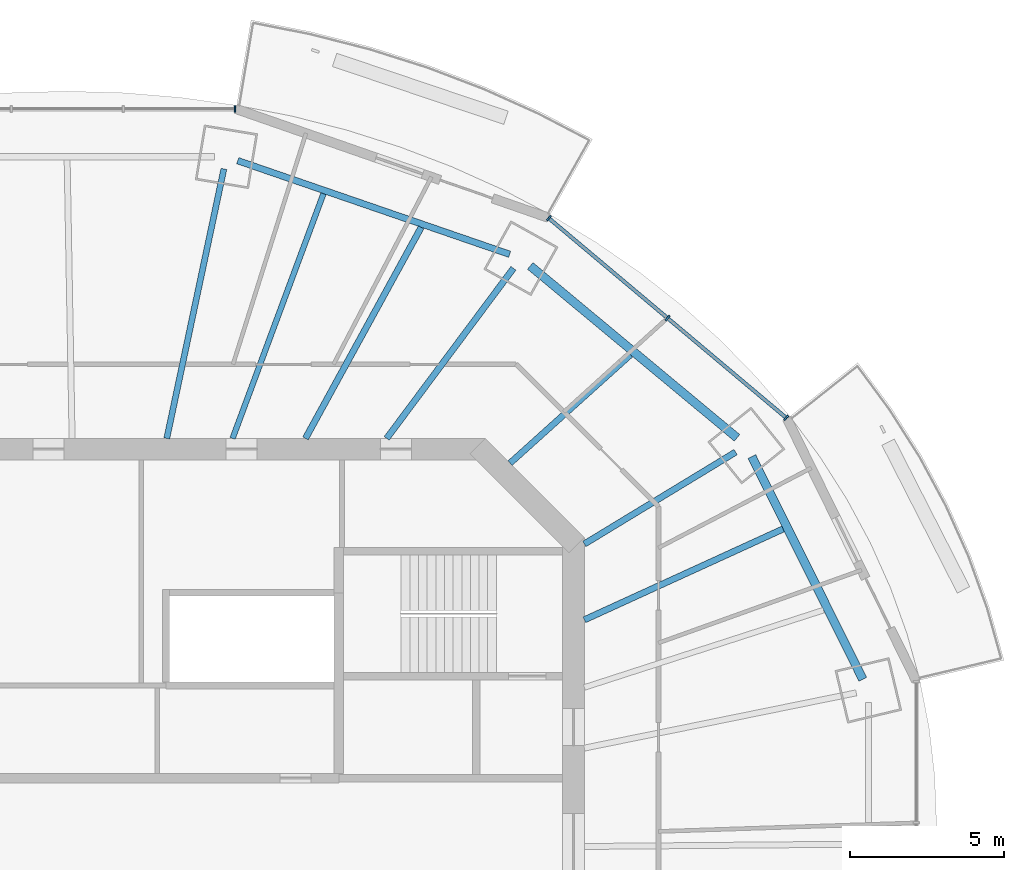
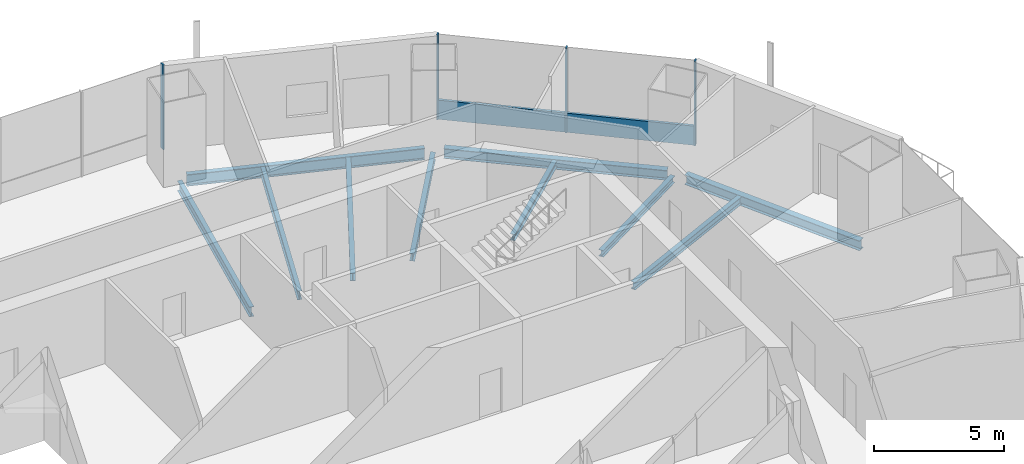
# One storey, part 6 of 16: 10 beams, 5 members, 2 elements without a shape of their own.
"""IFC4 building model written with IfcOpenShell, lengths in metres."""

from ifc_helpers import new_model, si_unit, direction, frame, origin, origin_2d, place, context, subcontext, project, spatial, rectangle, i_section, extrude, material, material_profile, profile_set, type_object, element, aggregate, save


model = new_model("IFC4")

# Units and contexts
model_context = context("Model", 3, precision=1e-05, world=origin(), true_north=direction((0.0, 1.0)))
body_context = subcontext(model_context, "Body", "Model", "MODEL_VIEW")
ifc_project = project(units=[si_unit("LENGTHUNIT", "METRE"), si_unit("AREAUNIT", "SQUARE_METRE"), si_unit("VOLUMEUNIT", "CUBIC_METRE"), si_unit("PLANEANGLEUNIT", "RADIAN"), si_unit("MASSUNIT", "GRAM", prefix="KILO")], contexts=[model_context])

# Site, building, storey
site_placement = place(None, origin())
site = spatial("IfcSite", under=ifc_project, at=site_placement, CompositionType="ELEMENT")
building_placement = place(site_placement, origin())
building = spatial("IfcBuilding", under=site, at=building_placement, Name="Marenthal Gate Tower", CompositionType="ELEMENT")
storey_placement = place(building_placement, frame((0.0, 0.0, 317.699951171875)))
storey = spatial("IfcBuildingStorey", under=building, at=storey_placement, Name="L71", CompositionType="ELEMENT", Elevation=317.699951171875)

# Curtain wall, members
ifc_material_1 = material(Name="Aluminium and glass", Category="aluminium")
curtain_wall_type = type_object("IfcCurtainWallType", Name="Curtain wall typical high", PredefinedType="NOTDEFINED", material=ifc_material_1)
curtain_wall_1_placement = place(storey_placement, origin())
curtain_wall_1 = element("IfcCurtainWall", 1, at=curtain_wall_1_placement, inside=storey, type_object=curtain_wall_type, Name="Curtain wall L71 bay 2", PredefinedType="NOTDEFINED")
ifc_material_2 = material(Name="Aluminium", Category="aluminium")
ifc_material_profile_1 = material_profile(ifc_material_2, rectangle(XDim=0.199951171875, YDim=0.06005859375, at=origin_2d()), Name="60x200 aluminium mullion")
ifc_profile_set_1 = profile_set([ifc_material_profile_1], Name="Aluminium")
member_type_1 = type_object("IfcMemberType", Name="Mullion 60x200 typical high", PredefinedType="MULLION", material=ifc_profile_set_1)
member_1_placement = place(storey_placement, frame((22.886474609375, 14.01513671875, 0.0), z_axis=(0.0, 0.0, 1.0), x_axis=(-0.643570293048, -0.765387011848, 0.0)))
member_1 = element("IfcMember", 2, at=member_1_placement, type_object=member_type_1, Name="Mullion L71 bay 2.1", PredefinedType="MULLION", context=body_context, shape_type="SweptSolid", body=[
    extrude(rectangle(XDim=0.199951171875, YDim=0.06005859375, at=origin_2d()), origin(), (0.0, 0.0, 1.0), 3.969970703125),
])
member_2_placement = place(storey_placement, frame((19.042236328125, 17.24755859375, 0.0), z_axis=(0.0, 0.0, 1.0), x_axis=(-0.643570293048, -0.765387011848, 0.0)))
member_2 = element("IfcMember", 3, at=member_2_placement, type_object=member_type_1, Name="Mullion L71 bay 2.2", PredefinedType="MULLION", context=body_context, shape_type="SweptSolid", body=[
    extrude(rectangle(XDim=0.199951171875, YDim=0.06005859375, at=origin_2d()), origin(), (0.0, 0.0, 1.0), 3.969970703125),
])
member_3_placement = place(storey_placement, frame((15.197998046875, 20.47998046875, 0.0), z_axis=(0.0, 0.0, 1.0), x_axis=(-0.643570293048, -0.765387011848, 0.0)))
member_3 = element("IfcMember", 4, at=member_3_placement, type_object=member_type_1, Name="Mullion L71 bay 2.3", PredefinedType="MULLION", context=body_context, shape_type="SweptSolid", body=[
    extrude(rectangle(XDim=0.199951171875, YDim=0.06005859375, at=origin_2d()), origin(), (0.0, 0.0, 1.0), 3.969970703125),
])

# Curtain wall, member
curtain_wall_2_placement = place(storey_placement, origin())
curtain_wall_2 = element("IfcCurtainWall", 5, at=curtain_wall_2_placement, inside=storey, type_object=curtain_wall_type, Name="Curtain wall L71 bay 4", PredefinedType="NOTDEFINED")
member_4_placement = place(storey_placement, frame((5.039306640625, 24.01904296875, 0.0), z_axis=(0.0, 0.0, 1.0), x_axis=(0.0, -1.0, 0.0)))
member_4 = element("IfcMember", 6, at=member_4_placement, type_object=member_type_1, Name="Mullion L71 bay 4.1", PredefinedType="MULLION", context=body_context, shape_type="SweptSolid", body=[
    extrude(rectangle(XDim=0.199951171875, YDim=0.06005859375, at=origin_2d()), origin(), (0.0, 0.0, 1.0), 3.969970703125),
])
aggregate(curtain_wall_2, [member_4])

# Member
ifc_material_3 = material(Name="Aluminium", Category="aluminium")
ifc_material_profile_2 = material_profile(ifc_material_3, rectangle(XDim=0.1201171875, YDim=0.89990234375, at=origin_2d()), Name="120x900 aluminium transom")
ifc_profile_set_2 = profile_set([ifc_material_profile_2], Name="Aluminium")
member_type_2 = type_object("IfcMemberType", Name="Transom 120x900 typical high", PredefinedType="USERDEFINED", material=ifc_profile_set_2)
member_5_placement = place(storey_placement, frame((22.863525390625, 14.034423828125, 0.449951171875), z_axis=(-0.765383983227, 0.643573894918, 0.0), x_axis=(-0.643573894918, -0.765383983227, 0.0)))
member_5 = element("IfcMember", 7, at=member_5_placement, type_object=member_type_2, Name="Transom L71 bay 2", ObjectType="TRANSOM", PredefinedType="USERDEFINED", context=body_context, shape_type="SweptSolid", body=[
    extrude(rectangle(XDim=0.1201171875, YDim=0.89990234375, at=origin_2d()), origin(), (0.0, 0.0, 1.0), 9.9853515625),
])

aggregate(curtain_wall_1, [member_1, member_2, member_3, member_5])

# Beams
ifc_material_4 = material(Name="Steel S355", Category="steel")
ifc_material_profile_3 = material_profile(ifc_material_4, i_section(OverallWidth=0.202880859375, OverallDepth=0.302001953125, WebThickness=0.007568359375, FlangeThickness=0.01318359375, FilletRadius=0.0126953125, at=origin_2d()), Name="W310X60")
ifc_profile_set_3 = profile_set([ifc_material_profile_3], Name="Steel S355")
beam_type_1 = type_object("IfcBeamType", Name="W310X60 beam", PredefinedType="BEAM", material=ifc_profile_set_3)
beam_1_placement = place(storey_placement, frame((17.841552734375, 16.0576171875, -0.3310546875), z_axis=(-0.743289515338, -0.668969877042, 0.0), x_axis=(0.668969877042, -0.743289515338, 0.0)))
element("IfcBeam", 8, at=beam_1_placement, inside=storey, type_object=beam_type_1, Name="BM-L71-19", PredefinedType="BEAM", context=body_context, shape_type="SweptSolid", body=[
    extrude(i_section(OverallWidth=0.202880859375, OverallDepth=0.302001953125, WebThickness=0.007568359375, FlangeThickness=0.01318359375, FilletRadius=0.0126953125, at=origin_2d()), origin(), (0.0, 0.0, 1.0), 5.242919921875),
])
ifc_material_5 = material(Name="Steel S355", Category="steel")
ifc_material_profile_4 = material_profile(ifc_material_5, i_section(OverallWidth=0.205078125, OverallDepth=0.31005859375, WebThickness=0.009521484375, FlangeThickness=0.016357421875, FilletRadius=0.0126953125, at=origin_2d()), Name="W310X74")
ifc_profile_set_4 = profile_set([ifc_material_profile_4], Name="Steel S355")
beam_type_2 = type_object("IfcBeamType", Name="W310X74 beam", PredefinedType="BEAM", material=ifc_profile_set_4)
beam_2_placement = place(storey_placement, frame((21.2470703125, 12.906494140625, -0.3349609375), z_axis=(-0.854656523105, -0.51919382461, 0.0), x_axis=(0.51919382461, -0.854656523105, 0.0)))
element("IfcBeam", 9, at=beam_2_placement, inside=storey, type_object=beam_type_2, Name="BM-L71-02", PredefinedType="BEAM", context=body_context, shape_type="SweptSolid", body=[
    extrude(i_section(OverallWidth=0.205078125, OverallDepth=0.31005859375, WebThickness=0.009521484375, FlangeThickness=0.016357421875, FilletRadius=0.0126953125, at=origin_2d()), origin(), (0.0, 0.0, 1.0), 5.729736328125),
])
ifc_material_6 = material(Name="Steel S355", Category="steel")
ifc_material_profile_5 = material_profile(ifc_material_6, i_section(OverallWidth=0.205078125, OverallDepth=0.35302734375, WebThickness=0.009521484375, FlangeThickness=0.016845703125, FilletRadius=0.014892578125, at=origin_2d()), Name="W360X79")
ifc_profile_set_5 = profile_set([ifc_material_profile_5], Name="Steel S355")
beam_type_3 = type_object("IfcBeamType", Name="W360X79 beam", PredefinedType="BEAM", material=ifc_profile_set_5)
beam_3_placement = place(storey_placement, frame((14.05322265625, 18.8583984375, -0.3564453125), z_axis=(-0.597529267138, -0.801847101955, 0.0), x_axis=(0.801847101955, -0.597529267138, 0.0)))
element("IfcBeam", 10, at=beam_3_placement, inside=storey, type_object=beam_type_3, Name="BM-L71-03", PredefinedType="BEAM", context=body_context, shape_type="SweptSolid", body=[
    extrude(i_section(OverallWidth=0.205078125, OverallDepth=0.35302734375, WebThickness=0.009521484375, FlangeThickness=0.016845703125, FilletRadius=0.014892578125, at=origin_2d()), origin(), (0.0, 0.0, 1.0), 6.86962890625),
])
beam_4_placement = place(storey_placement, frame((22.785400390625, 10.41748046875, -0.3564453125), z_axis=(-0.909446144779, -0.415821728324, 0.0), x_axis=(0.415821728324, -0.909446144779, 0.0)))
element("IfcBeam", 11, at=beam_4_placement, inside=storey, type_object=beam_type_3, Name="BM-L71-18", PredefinedType="BEAM", context=body_context, shape_type="SweptSolid", body=[
    extrude(i_section(OverallWidth=0.205078125, OverallDepth=0.35302734375, WebThickness=0.009521484375, FlangeThickness=0.016845703125, FilletRadius=0.014892578125, at=origin_2d()), origin(), (0.0, 0.0, 1.0), 7.076171875),
])
beam_5_placement = place(storey_placement, frame((11.066650390625, 20.18603515625, -0.3564453125), z_axis=(-0.480740187166, -0.876863086487, 0.0), x_axis=(0.876863086487, -0.480740187166, 0.0)))
element("IfcBeam", 12, at=beam_5_placement, inside=storey, type_object=beam_type_3, Name="BM-L71-20", PredefinedType="BEAM", context=body_context, shape_type="SweptSolid", body=[
    extrude(i_section(OverallWidth=0.205078125, OverallDepth=0.35302734375, WebThickness=0.009521484375, FlangeThickness=0.016845703125, FilletRadius=0.014892578125, at=origin_2d()), origin(), (0.0, 0.0, 1.0), 7.7958984375),
])
ifc_material_7 = material(Name="Steel S355", Category="steel")
ifc_material_profile_6 = material_profile(ifc_material_7, i_section(OverallWidth=0.180908203125, OverallDepth=0.4169921875, WebThickness=0.010986328125, FlangeThickness=0.018310546875, FilletRadius=0.01025390625, at=origin_2d()), Name="W410X85")
ifc_profile_set_6 = profile_set([ifc_material_profile_6], Name="Steel S355")
beam_type_4 = type_object("IfcBeamType", Name="W410X85 beam", PredefinedType="BEAM", material=ifc_profile_set_6)
beam_6_placement = place(storey_placement, frame((7.902587890625, 21.275390625, -0.388427734375), z_axis=(-0.348203930571, -0.937418808609, 0.0), x_axis=(0.937418808609, -0.348203930571, 0.0)))
element("IfcBeam", 13, at=beam_6_placement, inside=storey, type_object=beam_type_4, Name="BM-L71-21", PredefinedType="BEAM", context=body_context, shape_type="SweptSolid", body=[
    extrude(i_section(OverallWidth=0.180908203125, OverallDepth=0.4169921875, WebThickness=0.010986328125, FlangeThickness=0.018310546875, FilletRadius=0.01025390625, at=origin_2d()), origin(), (0.0, 0.0, 1.0), 8.454345703125),
])
ifc_material_8 = material(Name="Steel S355", Category="steel")
ifc_material_profile_7 = material_profile(ifc_material_8, i_section(OverallWidth=0.279052734375, OverallDepth=0.4619140625, WebThickness=0.0107421875, FlangeThickness=0.017333984375, FilletRadius=0.010009765625, at=origin_2d()), Name="W460X113")
ifc_profile_set_7 = profile_set([ifc_material_profile_7], Name="Steel S355")
beam_type_5 = type_object("IfcBeamType", Name="W460X113 beam", PredefinedType="BEAM", material=ifc_profile_set_7)
beam_7_placement = place(storey_placement, frame((25.3681640625, 5.546875, -0.410888671875), z_axis=(-0.445965704028, 0.895050049344, 0.0), x_axis=(-0.895050049344, -0.445965704028, 0.0)))
element("IfcBeam", 14, at=beam_7_placement, inside=storey, type_object=beam_type_5, Name="BM-L71-41", PredefinedType="BEAM", context=body_context, shape_type="SweptSolid", body=[
    extrude(i_section(OverallWidth=0.279052734375, OverallDepth=0.4619140625, WebThickness=0.0107421875, FlangeThickness=0.017333984375, FilletRadius=0.010009765625, at=origin_2d()), origin(), (0.0, 0.0, 1.0), 8.063232421875),
])
beam_8_placement = place(storey_placement, frame((21.293701171875, 13.369384765625, -0.410888671875), z_axis=(-0.768988287229, 0.639262867767, 0.0), x_axis=(-0.639262867767, -0.768988287229, 0.0)))
element("IfcBeam", 15, at=beam_8_placement, inside=storey, type_object=beam_type_5, Name="BM-L71-42", PredefinedType="BEAM", context=body_context, shape_type="SweptSolid", body=[
    extrude(i_section(OverallWidth=0.279052734375, OverallDepth=0.4619140625, WebThickness=0.0107421875, FlangeThickness=0.017333984375, FilletRadius=0.010009765625, at=origin_2d()), origin(), (0.0, 0.0, 1.0), 8.7080078125),
])
ifc_material_9 = material(Name="Steel S355", Category="steel")
ifc_material_profile_8 = material_profile(ifc_material_9, i_section(OverallWidth=0.193115234375, OverallDepth=0.467041015625, WebThickness=0.011474609375, FlangeThickness=0.01904296875, FilletRadius=0.010009765625, at=origin_2d()), Name="W460X97")
ifc_profile_set_8 = profile_set([ifc_material_profile_8], Name="Steel S355")
beam_type_6 = type_object("IfcBeamType", Name="W460X97 beam", PredefinedType="BEAM", material=ifc_profile_set_8)
beam_9_placement = place(storey_placement, frame((4.677734375, 22.0771484375, -0.413330078125), z_axis=(-0.207281991783, -0.978281235577, 0.0), x_axis=(0.978281235577, -0.207281991783, 0.0)))
element("IfcBeam", 16, at=beam_9_placement, inside=storey, type_object=beam_type_6, Name="BM-L71-04", PredefinedType="BEAM", context=body_context, shape_type="SweptSolid", body=[
    extrude(i_section(OverallWidth=0.193115234375, OverallDepth=0.467041015625, WebThickness=0.011474609375, FlangeThickness=0.01904296875, FilletRadius=0.010009765625, at=origin_2d()), origin(), (0.0, 0.0, 1.0), 8.9208984375),
])
ifc_material_10 = material(Name="Steel S355", Category="steel")
ifc_material_profile_9 = material_profile(ifc_material_10, i_section(OverallWidth=0.2119140625, OverallDepth=0.5439453125, WebThickness=0.01318359375, FlangeThickness=0.021240234375, FilletRadius=0.0126953125, at=origin_2d()), Name="W530X123")
ifc_profile_set_9 = profile_set([ifc_material_profile_9], Name="Steel S355")
beam_type_7 = type_object("IfcBeamType", Name="W530X123 beam", PredefinedType="BEAM", material=ifc_profile_set_9)
beam_10_placement = place(storey_placement, frame((13.9296875, 19.312255859375, -0.451904296875), z_axis=(-0.945516412895, 0.325574435338, 0.0), x_axis=(-0.325574435338, -0.945516412895, 0.0)))
element("IfcBeam", 17, at=beam_10_placement, inside=storey, type_object=beam_type_7, Name="BM-L71-43", PredefinedType="BEAM", context=body_context, shape_type="SweptSolid", body=[
    extrude(i_section(OverallWidth=0.2119140625, OverallDepth=0.5439453125, WebThickness=0.01318359375, FlangeThickness=0.021240234375, FilletRadius=0.0126953125, at=origin_2d()), origin(), (0.0, 0.0, 1.0), 9.309814453125),
])

save(model, "model.ifc")
